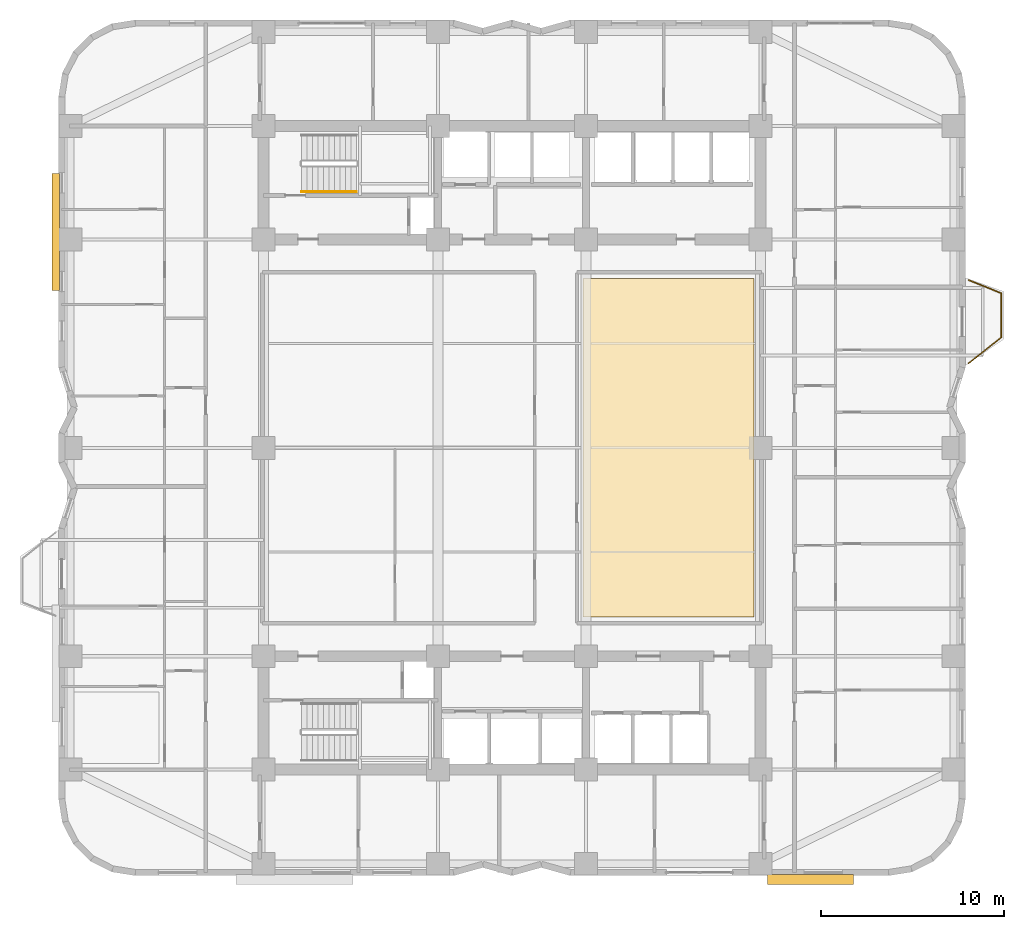
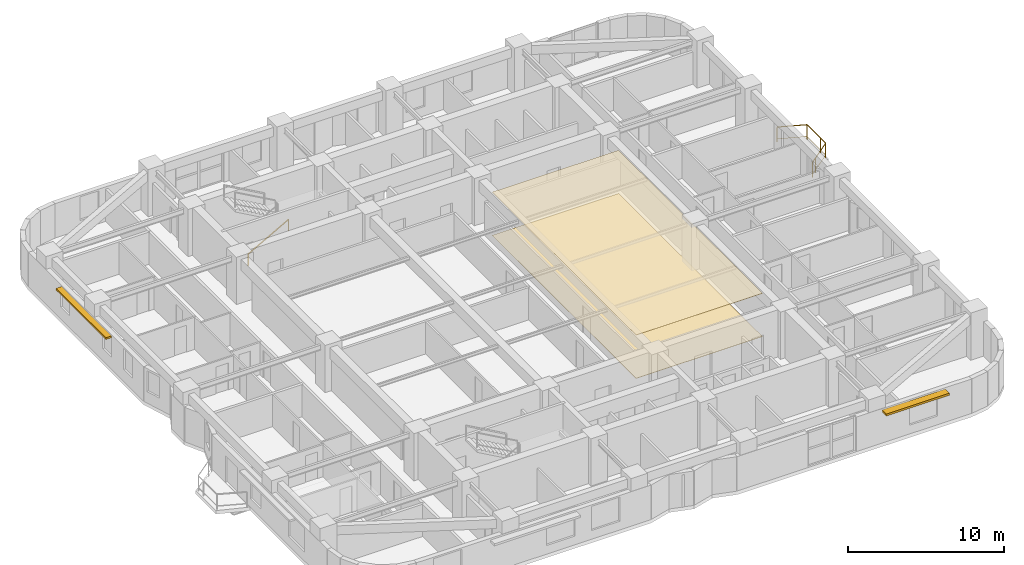
# One storey, part 12 of 13: 2 coverings, 2 railings, 2 shading devices.
"""IFC4 building model written with IfcOpenShell, lengths in metres."""

from ifc_helpers import new_model, si_unit, direction, frame, origin, origin_2d, place, context, subcontext, project, spatial, polyline, rectangle, outline, extrude, material, layer, layer_set, type_object, element, save


model = new_model("IFC4")

# Units and contexts
model_context = context("Model", 3, precision=1e-05, world=origin(), true_north=direction((0.0, 1.0)))
body_context = subcontext(model_context, "Body", "Model", "MODEL_VIEW")
ifc_project = project(units=[si_unit("LENGTHUNIT", "METRE"), si_unit("AREAUNIT", "SQUARE_METRE"), si_unit("VOLUMEUNIT", "CUBIC_METRE"), si_unit("PLANEANGLEUNIT", "RADIAN"), si_unit("MASSUNIT", "GRAM", prefix="KILO")], contexts=[model_context])

# Site, building, storey
site_placement = place(None, origin())
site = spatial("IfcSite", under=ifc_project, at=site_placement, CompositionType="ELEMENT")
building_placement = place(site_placement, origin())
building = spatial("IfcBuilding", under=site, at=building_placement, Name="Svetorya Sky Lyceum", CompositionType="ELEMENT")
storey_placement = place(building_placement, frame((0.0, 0.0, 58.39990234375)))
storey = spatial("IfcBuildingStorey", under=building, at=storey_placement, Name="L14", CompositionType="ELEMENT", Elevation=58.39990234375)

# Coverings
ifc_material_1 = material(Name="Fire-retardant birch acoustic slat ceiling")
ifc_layer_1 = layer(ifc_material_1, 0.031982421875)
ifc_layer_set_1 = layer_set([ifc_layer_1], Name="Fire-retardant birch acoustic slat ceiling")
covering_type_1 = type_object("IfcCoveringType", Name="COV-CLG-WD32", PredefinedType="CEILING", material=ifc_layer_set_1)
covering_1_placement = place(storey_placement, frame((0.0, 0.0, 3.38818359375)))
element("IfcCovering", 1, at=covering_1_placement, inside=storey, type_object=covering_type_1, Name="Hobby Club Hall L14 Acoustic Ceiling", PredefinedType="CEILING", context=body_context, shape_type="SweptSolid", body=[
    extrude(outline(polyline([(43.070068359375, 18.949951171875), (52.449951171875, 18.949951171875), (52.449951171875, 37.449951171875), (43.070068359375, 37.449951171875), (43.070068359375, 18.949951171875)])), origin(), (0.0, 0.0, 1.0), 0.031982421875),
])
ifc_material_2 = material(Name="Vitrified porcelain slip-resistant tile flooring")
ifc_layer_2 = layer(ifc_material_2, 0.02587890625)
ifc_layer_set_2 = layer_set([ifc_layer_2], Name="Vitrified porcelain slip-resistant tile flooring")
covering_type_2 = type_object("IfcCoveringType", Name="COV-FLR-POR26", PredefinedType="FLOORING", material=ifc_layer_set_2)
covering_2_placement = place(storey_placement, origin())
element("IfcCovering", 2, at=covering_2_placement, inside=storey, type_object=covering_type_2, Name="Hobby Club Hall L14 Architectural Flooring", PredefinedType="FLOORING", context=body_context, shape_type="SweptSolid", body=[
    extrude(outline(polyline([(43.070068359375, 18.949951171875), (52.449951171875, 18.949951171875), (52.449951171875, 37.449951171875), (43.070068359375, 37.449951171875), (43.070068359375, 18.949951171875)])), origin(), (0.0, 0.0, 1.0), 0.026123046875),
])

# Railings
ifc_material_3 = material(Name="Laminated safety glass and stainless AISI 316", Category="glass")
railing_type_1 = type_object("IfcRailingType", Name="RL-BAL-1200", PredefinedType="BALUSTRADE", material=ifc_material_3)
railing_1_placement = place(storey_placement, frame((64.169921875, 37.3798828125, 0.0)))
element("IfcRailing", 3, at=railing_1_placement, inside=storey, type_object=railing_type_1, Name="L14 Balcony Balustrade BAL-E1", PredefinedType="BALUSTRADE", context=body_context, shape_type="SweptSolid", body=[
    extrude(rectangle(XDim=0.048095703125, YDim=0.048095703125, at=origin_2d()), frame((0.0, 0.0, 1.17578125), z_axis=(0.926697865975, -0.375807218129, 0.0), x_axis=(0.375807218129, 0.926697865975, 0.0)), (0.0, 0.0, 1.0), 1.9423828125),
    extrude(rectangle(XDim=0.02392578125, YDim=0.02392578125, at=origin_2d()), frame((0.0, 0.0, 0.25), z_axis=(0.926697865975, -0.375807218129, 0.0), x_axis=(0.375807218129, 0.926697865975, 0.0)), (0.0, 0.0, 1.0), 1.9423828125),
    extrude(rectangle(XDim=0.048095703125, YDim=0.048095703125, at=origin_2d()), frame((1.800048828125, -0.72998046875, 1.17578125), z_axis=(0.0, -1.0, 0.0), x_axis=(1.0, 0.0, 0.0)), (0.0, 0.0, 1.0), 2.39990234375),
    extrude(rectangle(XDim=0.02392578125, YDim=0.02392578125, at=origin_2d()), frame((1.800048828125, -0.72998046875, 0.25), z_axis=(0.0, -1.0, 0.0), x_axis=(1.0, 0.0, 0.0)), (0.0, 0.0, 1.0), 2.39990234375),
    extrude(rectangle(XDim=0.048095703125, YDim=0.048095703125, at=origin_2d()), frame((1.800048828125, -3.1298828125, 1.17578125), z_axis=(-0.783008919264, -0.622010476079, 0.0), x_axis=(0.622010476079, -0.783008919264, 0.0)), (0.0, 0.0, 1.0), 2.298828125),
    extrude(rectangle(XDim=0.02392578125, YDim=0.02392578125, at=origin_2d()), frame((1.800048828125, -3.1298828125, 0.25), z_axis=(-0.783008919264, -0.622010476079, 0.0), x_axis=(0.622010476079, -0.783008919264, 0.0)), (0.0, 0.0, 1.0), 2.298828125),
    extrude(rectangle(XDim=0.0419921875, YDim=0.0419921875, at=origin_2d()), origin(), (0.0, 0.0, 1.0), 1.15185546875),
    extrude(rectangle(XDim=0.0419921875, YDim=0.0419921875, at=origin_2d()), frame((1.800048828125, -0.72998046875, 0.0)), (0.0, 0.0, 1.0), 1.15185546875),
    extrude(rectangle(XDim=0.0419921875, YDim=0.0419921875, at=origin_2d()), frame((1.800048828125, -2.47998046875, 0.0)), (0.0, 0.0, 1.0), 1.15185546875),
    extrude(rectangle(XDim=0.0419921875, YDim=0.0419921875, at=origin_2d()), frame((1.800048828125, -3.1298828125, 0.0)), (0.0, 0.0, 1.0), 1.15185546875),
    extrude(rectangle(XDim=0.0419921875, YDim=0.0419921875, at=origin_2d()), frame((0.4296875, -4.218505859375, 0.0)), (0.0, 0.0, 1.0), 1.15185546875),
    extrude(rectangle(XDim=0.0419921875, YDim=0.0419921875, at=origin_2d()), frame((0.0, -4.559814453125, 0.0)), (0.0, 0.0, 1.0), 1.15185546875),
])
ifc_material_4 = material(Name="Brushed stainless AISI 304 stair handrail")
railing_type_2 = type_object("IfcRailingType", Name="RL-STR-HAND-920", PredefinedType="HANDRAIL", material=ifc_material_4)
railing_2_placement = place(storey_placement, frame((27.699951171875, 42.199951171875, 0.168212890625)))
element("IfcRailing", 4, at=railing_2_placement, inside=storey, type_object=railing_type_2, Name="L14 ST-N stair handrail 1", PredefinedType="HANDRAIL", context=body_context, shape_type="SweptSolid", body=[
    extrude(rectangle(XDim=0.048095703125, YDim=0.048095703125, at=origin_2d()), frame((0.0, 0.0, 0.8759765625), z_axis=(0.872272294576, 0.0, 0.489020494575), x_axis=(0.0, 1.0, 0.0)), (0.0, 0.0, 1.0), 3.439208984375),
    extrude(rectangle(XDim=0.0419921875, YDim=0.0419921875, at=origin_2d()), origin(), (0.0, 0.0, 1.0), 0.851806640625),
    extrude(rectangle(XDim=0.0419921875, YDim=0.0419921875, at=origin_2d()), frame((3.0, 0.0, 1.681884765625)), (0.0, 0.0, 1.0), 0.851806640625),
])

# Shading devices
ifc_material_5 = material(Name="Champagne-anodized extruded aluminium solar fin", Category="aluminium")
ifc_layer_3 = layer(ifc_material_5, 0.139892578125)
ifc_layer_set_3 = layer_set([ifc_layer_3], Name="Champagne-anodized extruded aluminium solar fin")
shading_device_type_1 = type_object("IfcShadingDeviceType", Name="SHD-FIN-420", PredefinedType="JALOUSIE", material=ifc_layer_set_3)
shading_device_1_placement = place(storey_placement, frame((14.239990234375, 40.0, 2.41015625), z_axis=(0.0, 0.0, 1.0), x_axis=(1.0, 0.0, 0.0)))
element("IfcShadingDevice", 5, at=shading_device_1_placement, inside=storey, type_object=shading_device_type_1, Name="L14 Solar Brise-Soleil SHD-2.40M", PredefinedType="JALOUSIE", context=body_context, shape_type="SweptSolid", body=[
    extrude(rectangle(XDim=0.419921875, YDim=6.39990234375, at=origin_2d()), origin(), (0.0, 0.0, 1.0), 0.139892578125),
])
ifc_material_6 = material(Name="Champagne-anodized extruded aluminium sunshade", Category="aluminium")
ifc_layer_4 = layer(ifc_material_6, 0.159912109375)
ifc_layer_set_4 = layer_set([ifc_layer_4], Name="Champagne-anodized extruded aluminium sunshade")
shading_device_type_2 = type_object("IfcShadingDeviceType", Name="SHD-LVR-540", PredefinedType="AWNING", material=ifc_layer_set_4)
shading_device_2_placement = place(storey_placement, frame((55.52490234375, 4.580078125, 2.39990234375), z_axis=(0.0, 0.0, 1.0), x_axis=(1.0, 0.0, 0.0)))
element("IfcShadingDevice", 6, at=shading_device_2_placement, inside=storey, type_object=shading_device_type_2, Name="L14 Solar Brise-Soleil SHD-1.11B", PredefinedType="AWNING", context=body_context, shape_type="SweptSolid", body=[
    extrude(rectangle(XDim=4.701904296875, YDim=0.5400390625, at=origin_2d()), origin(), (0.0, 0.0, 1.0), 0.159912109375),
])

save(model, "model.ifc")
